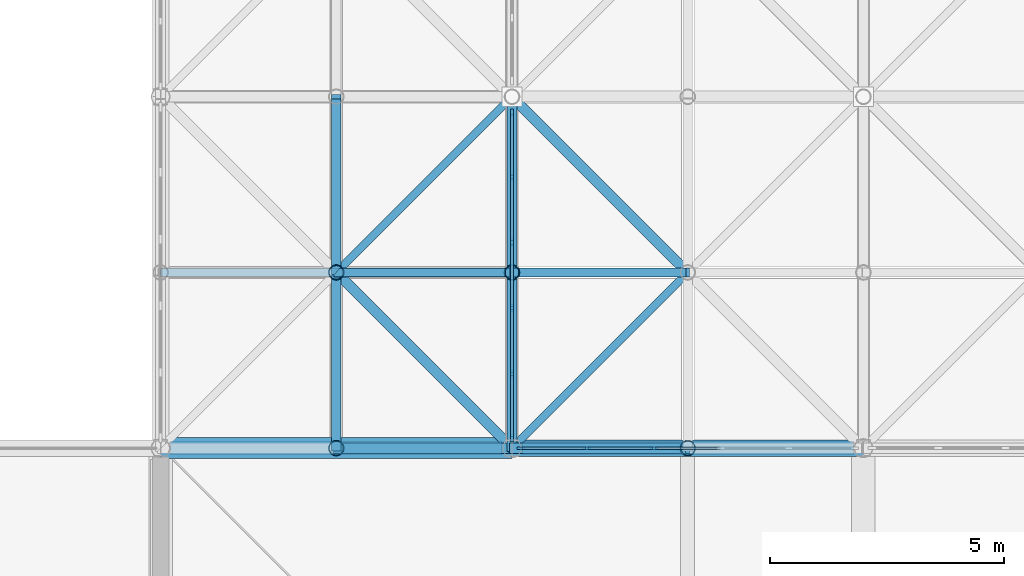
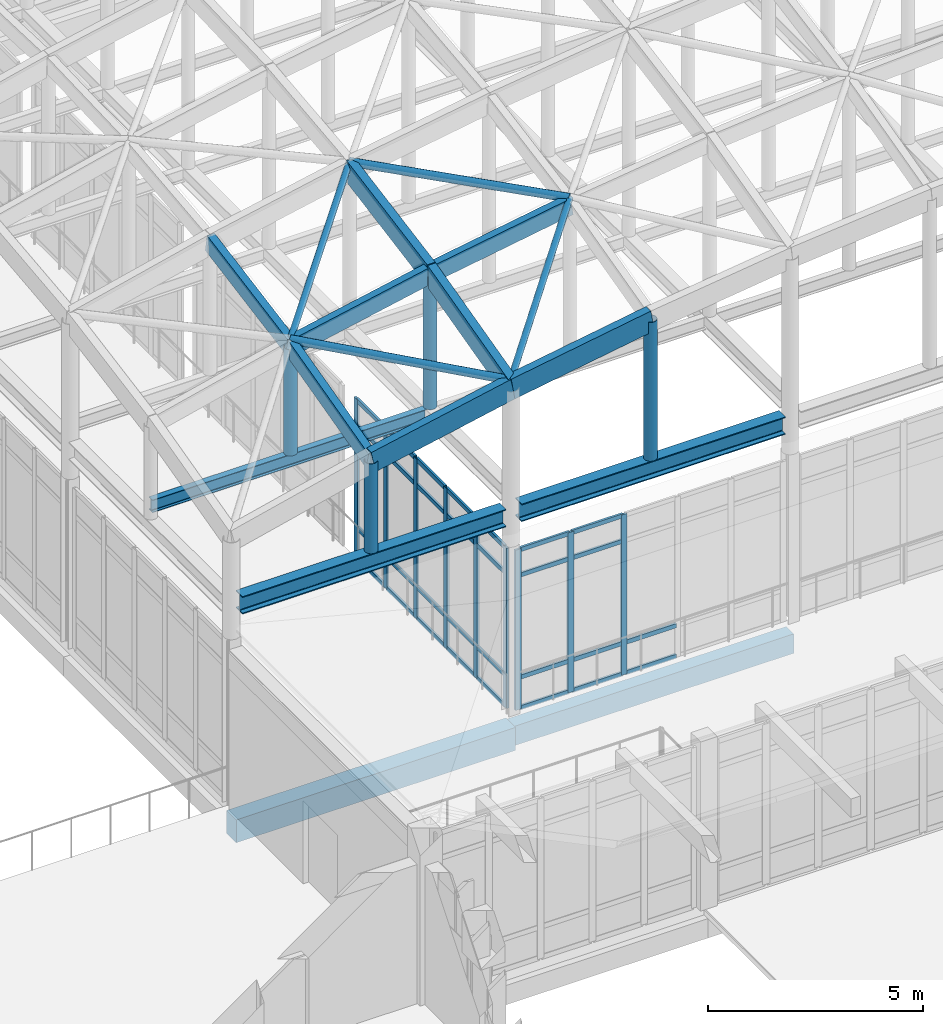
# One storey, part 31 of 131: 55 members, 5 beams, 2 elements without a shape of their own.
"""IFC4 building model written with IfcOpenShell, lengths in metres."""

from ifc_helpers import new_model, si_unit, direction, frame, origin, origin_2d, place, context, subcontext, project, spatial, rectangle, hollow_circle, i_section, extrude, material, layer, layer_set, material_profile, profile_set, type_object, element, aggregate, save


model = new_model("IFC4")

# Units and contexts
model_context = context("Model", 3, precision=1e-05, world=origin(), true_north=direction((0.0, 1.0)))
body_context = subcontext(model_context, "Body", "Model", "MODEL_VIEW")
ifc_project = project(units=[si_unit("LENGTHUNIT", "METRE"), si_unit("AREAUNIT", "SQUARE_METRE"), si_unit("VOLUMEUNIT", "CUBIC_METRE"), si_unit("PLANEANGLEUNIT", "RADIAN"), si_unit("MASSUNIT", "GRAM", prefix="KILO")], contexts=[model_context])

# Site, building, storey
site_placement = place(None, origin())
site = spatial("IfcSite", under=ifc_project, at=site_placement, CompositionType="ELEMENT")
building_placement = place(site_placement, origin())
building = spatial("IfcBuilding", under=site, at=building_placement, Name="Dalvernix Boulevard General Hospital", CompositionType="ELEMENT")
storey_placement = place(building_placement, frame((0.0, 0.0, 9.300048828125)))
storey = spatial("IfcBuildingStorey", under=building, at=storey_placement, Name="L02", CompositionType="ELEMENT", Elevation=9.300048828125)

# Beams
ifc_material_1 = material(Name="Concrete C35/45", Category="concrete")
ifc_material_profile_1 = material_profile(ifc_material_1, rectangle(XDim=0.449951171875, YDim=0.64990234375, at=origin_2d()), Name="RCB 450x650")
ifc_profile_set_1 = profile_set([ifc_material_profile_1], Name="Concrete C35/45")
beam_type_1 = type_object("IfcBeamType", Name="BM-B-03-I", PredefinedType="BEAM", material=ifc_profile_set_1)
beam_1_placement = place(storey_placement, frame((60.0, 31.5, -0.64501953125), z_axis=(1.0, 0.0, 0.0), x_axis=(0.0, 1.0, 0.0)))
element("IfcBeam", 1, at=beam_1_placement, inside=storey, type_object=beam_type_1, Name="L02 E-W girder E:9-10", PredefinedType="BEAM", context=body_context, shape_type="SweptSolid", body=[
    extrude(rectangle(XDim=0.449951171875, YDim=0.64990234375, at=origin_2d()), origin(), (0.0, 0.0, 1.0), 7.5),
])
ifc_material_2 = material(Name="Steel S355", Category="steel")
ifc_material_profile_2 = material_profile(ifc_material_2, i_section(OverallWidth=0.300048828125, OverallDepth=0.5, WebThickness=0.014404296875, FlangeThickness=0.028076171875, FilletRadius=0.027099609375, at=origin_2d()), Name="HEB 500")
ifc_profile_set_2 = profile_set([ifc_material_profile_2], Name="Steel S355")
beam_type_2 = type_object("IfcBeamType", Name="BM-RB-02", PredefinedType="BEAM", material=ifc_profile_set_2)
for number, where, z_axis, x_axis, name in (
    (2, (60.2099609375, 31.5, 5.64990234375), (1.0, 0.0, 0.0), (0.0, 1.0, 0.0), "Gridshell Ring Beam S bay 1"),
    (3, (67.7099609375, 31.5, 5.64990234375), (1.0, 0.0, 0.0), (0.0, 1.0, 0.0), "Gridshell Ring Beam S bay 2"),
):
    element("IfcBeam", number, at=place(storey_placement, frame(where, z_axis=z_axis, x_axis=x_axis)), inside=storey, type_object=beam_type_2, Name=name, PredefinedType="BEAM", context=body_context, shape_type="SweptSolid", body=[
        extrude(i_section(OverallWidth=0.300048828125, OverallDepth=0.5, WebThickness=0.014404296875, FlangeThickness=0.028076171875, FilletRadius=0.027099609375, at=origin_2d()), origin(), (0.0, 0.0, 1.0), 7.080078125),
    ])
ifc_material_profile_3 = material_profile(ifc_material_2, i_section(OverallWidth=0.169921875, OverallDepth=0.360107421875, WebThickness=0.008056640625, FlangeThickness=0.0126953125, FilletRadius=0.01806640625, at=origin_2d()), Name="IPE 360")
ifc_profile_set_3 = profile_set([ifc_material_profile_3], Name="Steel S355")
beam_type_3 = type_object("IfcBeamType", Name="BM-RB-08", PredefinedType="BEAM", material=ifc_profile_set_3)
beam_2_placement = place(storey_placement, frame((60.0, 35.25, 6.219970703125), z_axis=(1.0, 0.0, 0.0), x_axis=(0.0, 1.0, 0.0)))
element("IfcBeam", 4, at=beam_2_placement, inside=storey, type_object=beam_type_3, Name="ROOF TRUSS Gridshell cross tie 0-1", PredefinedType="BEAM", context=body_context, shape_type="SweptSolid", body=[
    extrude(i_section(OverallWidth=0.169921875, OverallDepth=0.360107421875, WebThickness=0.008056640625, FlangeThickness=0.0126953125, FilletRadius=0.01806640625, at=origin_2d()), origin(), (0.0, 0.0, 1.0), 7.35791015625),
])
ifc_material_profile_4 = material_profile(ifc_material_1, rectangle(XDim=0.35009765625, YDim=0.550048828125, at=origin_2d()), Name="RCB 350x550")
ifc_profile_set_4 = profile_set([ifc_material_profile_4], Name="Concrete C35/45")
beam_type_4 = type_object("IfcBeamType", Name="BM-SB-01-E", PredefinedType="SPANDREL", material=ifc_profile_set_4)
beam_3_placement = place(storey_placement, frame((67.5, 31.5, -0.594970703125), z_axis=(1.0, 0.0, 0.0), x_axis=(0.0, 1.0, 0.0)))
element("IfcBeam", 5, at=beam_3_placement, inside=storey, type_object=beam_type_4, Name="L02 E-W girder E:10-11", PredefinedType="SPANDREL", context=body_context, shape_type="SweptSolid", body=[
    extrude(rectangle(XDim=0.35009765625, YDim=0.550048828125, at=origin_2d()), origin(), (0.0, 0.0, 1.0), 7.5),
])

# Curtain wall, members
ifc_material_3 = material(Name="Thermally broken aluminium and solar-control glass curtain wall", Category="aluminium")
ifc_layer_1 = layer(ifc_material_3, 0.159912109375)
ifc_layer_set_1 = layer_set([ifc_layer_1], Name="Thermally broken aluminium and solar-control glass curtain wall (CW-CW-A-70x46)")
curtain_wall_type_1 = type_object("IfcCurtainWallType", Name="CW-CW-A-70x46", PredefinedType="USERDEFINED", material=ifc_layer_set_1)
curtain_wall_1_placement = place(storey_placement, origin())
curtain_wall_1 = element("IfcCurtainWall", 6, at=curtain_wall_1_placement, inside=storey, type_object=curtain_wall_type_1, Name="L02 curtain wall CW-A-70x46 9-4", ObjectType="GLAZED FACADE", PredefinedType="USERDEFINED")
ifc_material_4 = material(Name="Aluminium EN AW-6060", Category="aluminium")
ifc_material_profile_5 = material_profile(ifc_material_4, rectangle(XDim=0.06005859375, YDim=0.159912109375, at=origin_2d()), Name="ALU MULL 60x160")
ifc_profile_set_5 = profile_set([ifc_material_profile_5], Name="Aluminium EN AW-6060")
member_type_1 = type_object("IfcMemberType", Name="MEM-CW-M1", PredefinedType="MULLION", material=ifc_profile_set_5)
member_1_placement = place(storey_placement, frame((67.5, 38.659912109375, 0.0), z_axis=(0.0, 0.0, 1.0), x_axis=(1.0, 0.0, 0.0)))
member_1 = element("IfcMember", 7, at=member_1_placement, type_object=member_type_1, Name="CW-A-70x46 mullion 1", PredefinedType="MULLION", context=body_context, shape_type="SweptSolid", body=[
    extrude(rectangle(XDim=0.06005859375, YDim=0.159912109375, at=origin_2d()), origin(), (0.0, 0.0, 1.0), 4.550048828125),
])
member_2_placement = place(storey_placement, frame((67.5, 37.2900390625, 0.0), z_axis=(0.0, 0.0, 1.0), x_axis=(1.0, 0.0, 0.0)))
member_2 = element("IfcMember", 8, at=member_2_placement, type_object=member_type_1, Name="CW-A-70x46 mullion 2", PredefinedType="MULLION", context=body_context, shape_type="SweptSolid", body=[
    extrude(rectangle(XDim=0.06005859375, YDim=0.159912109375, at=origin_2d()), origin(), (0.0, 0.0, 1.0), 4.550048828125),
])
member_3_placement = place(storey_placement, frame((67.5, 35.889892578125, 0.0), z_axis=(0.0, 0.0, 1.0), x_axis=(1.0, 0.0, 0.0)))
member_3 = element("IfcMember", 9, at=member_3_placement, type_object=member_type_1, Name="CW-A-70x46 mullion 3", PredefinedType="MULLION", context=body_context, shape_type="SweptSolid", body=[
    extrude(rectangle(XDim=0.06005859375, YDim=0.159912109375, at=origin_2d()), origin(), (0.0, 0.0, 1.0), 4.550048828125),
])
member_4_placement = place(storey_placement, frame((67.5, 34.489990234375, 0.0), z_axis=(0.0, 0.0, 1.0), x_axis=(1.0, 0.0, 0.0)))
member_4 = element("IfcMember", 10, at=member_4_placement, type_object=member_type_1, Name="CW-A-70x46 mullion 4", PredefinedType="MULLION", context=body_context, shape_type="SweptSolid", body=[
    extrude(rectangle(XDim=0.06005859375, YDim=0.159912109375, at=origin_2d()), origin(), (0.0, 0.0, 1.0), 4.550048828125),
])
member_5_placement = place(storey_placement, frame((67.5, 33.090087890625, 0.0), z_axis=(0.0, 0.0, 1.0), x_axis=(1.0, 0.0, 0.0)))
member_5 = element("IfcMember", 11, at=member_5_placement, type_object=member_type_1, Name="CW-A-70x46 mullion 5", PredefinedType="MULLION", context=body_context, shape_type="SweptSolid", body=[
    extrude(rectangle(XDim=0.06005859375, YDim=0.159912109375, at=origin_2d()), origin(), (0.0, 0.0, 1.0), 4.550048828125),
])
member_6_placement = place(storey_placement, frame((67.5, 31.719970703125, 0.0), z_axis=(0.0, 0.0, 1.0), x_axis=(1.0, 0.0, 0.0)))
member_6 = element("IfcMember", 12, at=member_6_placement, type_object=member_type_1, Name="CW-A-70x46 mullion 6", PredefinedType="MULLION", context=body_context, shape_type="SweptSolid", body=[
    extrude(rectangle(XDim=0.06005859375, YDim=0.159912109375, at=origin_2d()), origin(), (0.0, 0.0, 1.0), 4.550048828125),
])

ifc_layer_2 = layer(ifc_material_3, 0.159912109375)
ifc_layer_set_2 = layer_set([ifc_layer_2], Name="Thermally broken aluminium and solar-control glass curtain wall (CW-CW-A-72x46)")
curtain_wall_type_2 = type_object("IfcCurtainWallType", Name="CW-CW-A-72x46", PredefinedType="USERDEFINED", material=ifc_layer_set_2)
curtain_wall_2_placement = place(storey_placement, origin())
curtain_wall_2 = element("IfcCurtainWall", 13, at=curtain_wall_2_placement, inside=storey, type_object=curtain_wall_type_2, Name="L02 curtain wall CW-A-72x46 9-4", ObjectType="GLAZED FACADE", PredefinedType="USERDEFINED")
member_7_placement = place(storey_placement, frame((67.68994140625, 31.5, 0.0), z_axis=(0.0, 0.0, 1.0), x_axis=(0.0, 1.0, 0.0)))
member_7 = element("IfcMember", 14, at=member_7_placement, type_object=member_type_1, Name="CW-A-72x46 mullion 1", PredefinedType="MULLION", context=body_context, shape_type="SweptSolid", body=[
    extrude(rectangle(XDim=0.06005859375, YDim=0.159912109375, at=origin_2d()), origin(), (0.0, 0.0, 1.0), 4.550048828125),
])
member_8_placement = place(storey_placement, frame((69.095947265625, 31.5, 0.0), z_axis=(0.0, 0.0, 1.0), x_axis=(0.0, 1.0, 0.0)))
member_8 = element("IfcMember", 15, at=member_8_placement, type_object=member_type_1, Name="CW-A-72x46 mullion 2", PredefinedType="MULLION", context=body_context, shape_type="SweptSolid", body=[
    extrude(rectangle(XDim=0.06005859375, YDim=0.159912109375, at=origin_2d()), origin(), (0.0, 0.0, 1.0), 4.550048828125),
])
member_9_placement = place(storey_placement, frame((70.531982421875, 31.5, 0.0), z_axis=(0.0, 0.0, 1.0), x_axis=(0.0, 1.0, 0.0)))
member_9 = element("IfcMember", 16, at=member_9_placement, type_object=member_type_1, Name="CW-A-72x46 mullion 3", PredefinedType="MULLION", context=body_context, shape_type="SweptSolid", body=[
    extrude(rectangle(XDim=0.06005859375, YDim=0.159912109375, at=origin_2d()), origin(), (0.0, 0.0, 1.0), 4.550048828125),
])

# Member
ifc_material_profile_6 = material_profile(ifc_material_4, rectangle(XDim=0.06005859375, YDim=0.1201171875, at=origin_2d()), Name="ALU TRAN 60x120")
ifc_profile_set_6 = profile_set([ifc_material_profile_6], Name="Aluminium EN AW-6060")
member_type_2 = type_object("IfcMemberType", Name="MEM-CW-T1", PredefinedType="USERDEFINED", material=ifc_profile_set_6)
member_10_placement = place(storey_placement, frame((67.5, 38.6298828125, 0.030029296875), z_axis=(0.0, -1.0, 0.0), x_axis=(1.0, 0.0, 0.0)))
member_10 = element("IfcMember", 17, at=member_10_placement, type_object=member_type_2, Name="CW-A-70x46 transom 1.1", ObjectType="TRANSOM", PredefinedType="USERDEFINED", context=body_context, shape_type="SweptSolid", body=[
    extrude(rectangle(XDim=0.06005859375, YDim=0.1201171875, at=origin_2d()), origin(), (0.0, 0.0, 1.0), 1.309814453125),
])

member_11_placement = place(storey_placement, frame((67.5, 38.6298828125, 0.89990234375), z_axis=(0.0, -1.0, 0.0), x_axis=(1.0, 0.0, 0.0)))
member_11 = element("IfcMember", 18, at=member_11_placement, type_object=member_type_2, Name="CW-A-70x46 transom 1.2", ObjectType="TRANSOM", PredefinedType="USERDEFINED", context=body_context, shape_type="SweptSolid", body=[
    extrude(rectangle(XDim=0.06005859375, YDim=0.1201171875, at=origin_2d()), origin(), (0.0, 0.0, 1.0), 1.309814453125),
])

member_12_placement = place(storey_placement, frame((67.5, 38.6298828125, 3.800048828125), z_axis=(0.0, -1.0, 0.0), x_axis=(1.0, 0.0, 0.0)))
member_12 = element("IfcMember", 19, at=member_12_placement, type_object=member_type_2, Name="CW-A-70x46 transom 1.3", ObjectType="TRANSOM", PredefinedType="USERDEFINED", context=body_context, shape_type="SweptSolid", body=[
    extrude(rectangle(XDim=0.06005859375, YDim=0.1201171875, at=origin_2d()), origin(), (0.0, 0.0, 1.0), 1.309814453125),
])

member_13_placement = place(storey_placement, frame((67.5, 38.6298828125, 4.52001953125), z_axis=(0.0, -1.0, 0.0), x_axis=(1.0, 0.0, 0.0)))
member_13 = element("IfcMember", 20, at=member_13_placement, type_object=member_type_2, Name="CW-A-70x46 transom 1.4", ObjectType="TRANSOM", PredefinedType="USERDEFINED", context=body_context, shape_type="SweptSolid", body=[
    extrude(rectangle(XDim=0.06005859375, YDim=0.1201171875, at=origin_2d()), origin(), (0.0, 0.0, 1.0), 1.309814453125),
])

member_14_placement = place(storey_placement, frame((67.5, 37.260009765625, 0.030029296875), z_axis=(0.0, -1.0, 0.0), x_axis=(1.0, 0.0, 0.0)))
member_14 = element("IfcMember", 21, at=member_14_placement, type_object=member_type_2, Name="CW-A-70x46 transom 2.1", ObjectType="TRANSOM", PredefinedType="USERDEFINED", context=body_context, shape_type="SweptSolid", body=[
    extrude(rectangle(XDim=0.06005859375, YDim=0.1201171875, at=origin_2d()), origin(), (0.0, 0.0, 1.0), 1.340087890625),
])

member_15_placement = place(storey_placement, frame((67.5, 37.260009765625, 0.89990234375), z_axis=(0.0, -1.0, 0.0), x_axis=(1.0, 0.0, 0.0)))
member_15 = element("IfcMember", 22, at=member_15_placement, type_object=member_type_2, Name="CW-A-70x46 transom 2.2", ObjectType="TRANSOM", PredefinedType="USERDEFINED", context=body_context, shape_type="SweptSolid", body=[
    extrude(rectangle(XDim=0.06005859375, YDim=0.1201171875, at=origin_2d()), origin(), (0.0, 0.0, 1.0), 1.340087890625),
])

member_16_placement = place(storey_placement, frame((67.5, 37.260009765625, 3.800048828125), z_axis=(0.0, -1.0, 0.0), x_axis=(1.0, 0.0, 0.0)))
member_16 = element("IfcMember", 23, at=member_16_placement, type_object=member_type_2, Name="CW-A-70x46 transom 2.3", ObjectType="TRANSOM", PredefinedType="USERDEFINED", context=body_context, shape_type="SweptSolid", body=[
    extrude(rectangle(XDim=0.06005859375, YDim=0.1201171875, at=origin_2d()), origin(), (0.0, 0.0, 1.0), 1.340087890625),
])

member_17_placement = place(storey_placement, frame((67.5, 37.260009765625, 4.52001953125), z_axis=(0.0, -1.0, 0.0), x_axis=(1.0, 0.0, 0.0)))
member_17 = element("IfcMember", 24, at=member_17_placement, type_object=member_type_2, Name="CW-A-70x46 transom 2.4", ObjectType="TRANSOM", PredefinedType="USERDEFINED", context=body_context, shape_type="SweptSolid", body=[
    extrude(rectangle(XDim=0.06005859375, YDim=0.1201171875, at=origin_2d()), origin(), (0.0, 0.0, 1.0), 1.340087890625),
])

member_18_placement = place(storey_placement, frame((67.5, 35.860107421875, 0.030029296875), z_axis=(0.0, -1.0, 0.0), x_axis=(1.0, 0.0, 0.0)))
member_18 = element("IfcMember", 25, at=member_18_placement, type_object=member_type_2, Name="CW-A-70x46 transom 3.1", ObjectType="TRANSOM", PredefinedType="USERDEFINED", context=body_context, shape_type="SweptSolid", body=[
    extrude(rectangle(XDim=0.06005859375, YDim=0.1201171875, at=origin_2d()), origin(), (0.0, 0.0, 1.0), 1.340087890625),
])

member_19_placement = place(storey_placement, frame((67.5, 35.860107421875, 0.89990234375), z_axis=(0.0, -1.0, 0.0), x_axis=(1.0, 0.0, 0.0)))
member_19 = element("IfcMember", 26, at=member_19_placement, type_object=member_type_2, Name="CW-A-70x46 transom 3.2", ObjectType="TRANSOM", PredefinedType="USERDEFINED", context=body_context, shape_type="SweptSolid", body=[
    extrude(rectangle(XDim=0.06005859375, YDim=0.1201171875, at=origin_2d()), origin(), (0.0, 0.0, 1.0), 1.340087890625),
])

member_20_placement = place(storey_placement, frame((67.5, 35.860107421875, 3.800048828125), z_axis=(0.0, -1.0, 0.0), x_axis=(1.0, 0.0, 0.0)))
member_20 = element("IfcMember", 27, at=member_20_placement, type_object=member_type_2, Name="CW-A-70x46 transom 3.3", ObjectType="TRANSOM", PredefinedType="USERDEFINED", context=body_context, shape_type="SweptSolid", body=[
    extrude(rectangle(XDim=0.06005859375, YDim=0.1201171875, at=origin_2d()), origin(), (0.0, 0.0, 1.0), 1.340087890625),
])

member_21_placement = place(storey_placement, frame((67.5, 35.860107421875, 4.52001953125), z_axis=(0.0, -1.0, 0.0), x_axis=(1.0, 0.0, 0.0)))
member_21 = element("IfcMember", 28, at=member_21_placement, type_object=member_type_2, Name="CW-A-70x46 transom 3.4", ObjectType="TRANSOM", PredefinedType="USERDEFINED", context=body_context, shape_type="SweptSolid", body=[
    extrude(rectangle(XDim=0.06005859375, YDim=0.1201171875, at=origin_2d()), origin(), (0.0, 0.0, 1.0), 1.340087890625),
])

member_22_placement = place(storey_placement, frame((67.5, 34.4599609375, 0.030029296875), z_axis=(0.0, -1.0, 0.0), x_axis=(1.0, 0.0, 0.0)))
member_22 = element("IfcMember", 29, at=member_22_placement, type_object=member_type_2, Name="CW-A-70x46 transom 4.1", ObjectType="TRANSOM", PredefinedType="USERDEFINED", context=body_context, shape_type="SweptSolid", body=[
    extrude(rectangle(XDim=0.06005859375, YDim=0.1201171875, at=origin_2d()), origin(), (0.0, 0.0, 1.0), 1.33984375),
])

member_23_placement = place(storey_placement, frame((67.5, 34.4599609375, 0.89990234375), z_axis=(0.0, -1.0, 0.0), x_axis=(1.0, 0.0, 0.0)))
member_23 = element("IfcMember", 30, at=member_23_placement, type_object=member_type_2, Name="CW-A-70x46 transom 4.2", ObjectType="TRANSOM", PredefinedType="USERDEFINED", context=body_context, shape_type="SweptSolid", body=[
    extrude(rectangle(XDim=0.06005859375, YDim=0.1201171875, at=origin_2d()), origin(), (0.0, 0.0, 1.0), 1.33984375),
])

member_24_placement = place(storey_placement, frame((67.5, 34.4599609375, 3.800048828125), z_axis=(0.0, -1.0, 0.0), x_axis=(1.0, 0.0, 0.0)))
member_24 = element("IfcMember", 31, at=member_24_placement, type_object=member_type_2, Name="CW-A-70x46 transom 4.3", ObjectType="TRANSOM", PredefinedType="USERDEFINED", context=body_context, shape_type="SweptSolid", body=[
    extrude(rectangle(XDim=0.06005859375, YDim=0.1201171875, at=origin_2d()), origin(), (0.0, 0.0, 1.0), 1.33984375),
])

member_25_placement = place(storey_placement, frame((67.5, 34.4599609375, 4.52001953125), z_axis=(0.0, -1.0, 0.0), x_axis=(1.0, 0.0, 0.0)))
member_25 = element("IfcMember", 32, at=member_25_placement, type_object=member_type_2, Name="CW-A-70x46 transom 4.4", ObjectType="TRANSOM", PredefinedType="USERDEFINED", context=body_context, shape_type="SweptSolid", body=[
    extrude(rectangle(XDim=0.06005859375, YDim=0.1201171875, at=origin_2d()), origin(), (0.0, 0.0, 1.0), 1.33984375),
])

member_26_placement = place(storey_placement, frame((67.5, 33.06005859375, 0.030029296875), z_axis=(0.0, -1.0, 0.0), x_axis=(1.0, 0.0, 0.0)))
member_26 = element("IfcMember", 33, at=member_26_placement, type_object=member_type_2, Name="CW-A-70x46 transom 5.1", ObjectType="TRANSOM", PredefinedType="USERDEFINED", context=body_context, shape_type="SweptSolid", body=[
    extrude(rectangle(XDim=0.06005859375, YDim=0.1201171875, at=origin_2d()), origin(), (0.0, 0.0, 1.0), 1.31005859375),
])

member_27_placement = place(storey_placement, frame((67.5, 33.06005859375, 0.89990234375), z_axis=(0.0, -1.0, 0.0), x_axis=(1.0, 0.0, 0.0)))
member_27 = element("IfcMember", 34, at=member_27_placement, type_object=member_type_2, Name="CW-A-70x46 transom 5.2", ObjectType="TRANSOM", PredefinedType="USERDEFINED", context=body_context, shape_type="SweptSolid", body=[
    extrude(rectangle(XDim=0.06005859375, YDim=0.1201171875, at=origin_2d()), origin(), (0.0, 0.0, 1.0), 1.31005859375),
])

member_28_placement = place(storey_placement, frame((67.5, 33.06005859375, 3.800048828125), z_axis=(0.0, -1.0, 0.0), x_axis=(1.0, 0.0, 0.0)))
member_28 = element("IfcMember", 35, at=member_28_placement, type_object=member_type_2, Name="CW-A-70x46 transom 5.3", ObjectType="TRANSOM", PredefinedType="USERDEFINED", context=body_context, shape_type="SweptSolid", body=[
    extrude(rectangle(XDim=0.06005859375, YDim=0.1201171875, at=origin_2d()), origin(), (0.0, 0.0, 1.0), 1.31005859375),
])

member_29_placement = place(storey_placement, frame((67.5, 33.06005859375, 4.52001953125), z_axis=(0.0, -1.0, 0.0), x_axis=(1.0, 0.0, 0.0)))
member_29 = element("IfcMember", 36, at=member_29_placement, type_object=member_type_2, Name="CW-A-70x46 transom 5.4", ObjectType="TRANSOM", PredefinedType="USERDEFINED", context=body_context, shape_type="SweptSolid", body=[
    extrude(rectangle(XDim=0.06005859375, YDim=0.1201171875, at=origin_2d()), origin(), (0.0, 0.0, 1.0), 1.31005859375),
])

aggregate(curtain_wall_1, [member_1, member_2, member_3, member_4, member_5, member_6, member_10, member_11, member_12, member_13, member_14, member_15, member_16, member_17, member_18, member_19, member_20, member_21, member_22, member_23, member_24, member_25, member_26, member_27, member_28, member_29])

member_30_placement = place(storey_placement, frame((67.719970703125, 31.5, 0.030029296875), z_axis=(1.0, 0.0, 0.0), x_axis=(0.0, 1.0, 0.0)))
member_30 = element("IfcMember", 37, at=member_30_placement, type_object=member_type_2, Name="CW-A-72x46 transom 1.1", ObjectType="TRANSOM", PredefinedType="USERDEFINED", context=body_context, shape_type="SweptSolid", body=[
    extrude(rectangle(XDim=0.06005859375, YDim=0.1201171875, at=origin_2d()), origin(), (0.0, 0.0, 1.0), 1.345947265625),
])

member_31_placement = place(storey_placement, frame((67.719970703125, 31.5, 0.89990234375), z_axis=(1.0, 0.0, 0.0), x_axis=(0.0, 1.0, 0.0)))
member_31 = element("IfcMember", 38, at=member_31_placement, type_object=member_type_2, Name="CW-A-72x46 transom 1.2", ObjectType="TRANSOM", PredefinedType="USERDEFINED", context=body_context, shape_type="SweptSolid", body=[
    extrude(rectangle(XDim=0.06005859375, YDim=0.1201171875, at=origin_2d()), origin(), (0.0, 0.0, 1.0), 1.345947265625),
])

member_32_placement = place(storey_placement, frame((67.719970703125, 31.5, 3.800048828125), z_axis=(1.0, 0.0, 0.0), x_axis=(0.0, 1.0, 0.0)))
member_32 = element("IfcMember", 39, at=member_32_placement, type_object=member_type_2, Name="CW-A-72x46 transom 1.3", ObjectType="TRANSOM", PredefinedType="USERDEFINED", context=body_context, shape_type="SweptSolid", body=[
    extrude(rectangle(XDim=0.06005859375, YDim=0.1201171875, at=origin_2d()), origin(), (0.0, 0.0, 1.0), 1.345947265625),
])

member_33_placement = place(storey_placement, frame((67.719970703125, 31.5, 4.52001953125), z_axis=(1.0, 0.0, 0.0), x_axis=(0.0, 1.0, 0.0)))
member_33 = element("IfcMember", 40, at=member_33_placement, type_object=member_type_2, Name="CW-A-72x46 transom 1.4", ObjectType="TRANSOM", PredefinedType="USERDEFINED", context=body_context, shape_type="SweptSolid", body=[
    extrude(rectangle(XDim=0.06005859375, YDim=0.1201171875, at=origin_2d()), origin(), (0.0, 0.0, 1.0), 1.345947265625),
])

member_34_placement = place(storey_placement, frame((69.1259765625, 31.5, 0.030029296875), z_axis=(1.0, 0.0, 0.0), x_axis=(0.0, 1.0, 0.0)))
member_34 = element("IfcMember", 41, at=member_34_placement, type_object=member_type_2, Name="CW-A-72x46 transom 2.1", ObjectType="TRANSOM", PredefinedType="USERDEFINED", context=body_context, shape_type="SweptSolid", body=[
    extrude(rectangle(XDim=0.06005859375, YDim=0.1201171875, at=origin_2d()), origin(), (0.0, 0.0, 1.0), 1.3759765625),
])

member_35_placement = place(storey_placement, frame((69.1259765625, 31.5, 0.89990234375), z_axis=(1.0, 0.0, 0.0), x_axis=(0.0, 1.0, 0.0)))
member_35 = element("IfcMember", 42, at=member_35_placement, type_object=member_type_2, Name="CW-A-72x46 transom 2.2", ObjectType="TRANSOM", PredefinedType="USERDEFINED", context=body_context, shape_type="SweptSolid", body=[
    extrude(rectangle(XDim=0.06005859375, YDim=0.1201171875, at=origin_2d()), origin(), (0.0, 0.0, 1.0), 1.3759765625),
])

member_36_placement = place(storey_placement, frame((69.1259765625, 31.5, 3.800048828125), z_axis=(1.0, 0.0, 0.0), x_axis=(0.0, 1.0, 0.0)))
member_36 = element("IfcMember", 43, at=member_36_placement, type_object=member_type_2, Name="CW-A-72x46 transom 2.3", ObjectType="TRANSOM", PredefinedType="USERDEFINED", context=body_context, shape_type="SweptSolid", body=[
    extrude(rectangle(XDim=0.06005859375, YDim=0.1201171875, at=origin_2d()), origin(), (0.0, 0.0, 1.0), 1.3759765625),
])

member_37_placement = place(storey_placement, frame((69.1259765625, 31.5, 4.52001953125), z_axis=(1.0, 0.0, 0.0), x_axis=(0.0, 1.0, 0.0)))
member_37 = element("IfcMember", 44, at=member_37_placement, type_object=member_type_2, Name="CW-A-72x46 transom 2.4", ObjectType="TRANSOM", PredefinedType="USERDEFINED", context=body_context, shape_type="SweptSolid", body=[
    extrude(rectangle(XDim=0.06005859375, YDim=0.1201171875, at=origin_2d()), origin(), (0.0, 0.0, 1.0), 1.3759765625),
])

member_38_placement = place(storey_placement, frame((70.56201171875, 31.5, 0.030029296875), z_axis=(1.0, 0.0, 0.0), x_axis=(0.0, 1.0, 0.0)))
member_38 = element("IfcMember", 45, at=member_38_placement, type_object=member_type_2, Name="CW-A-72x46 transom 3.1", ObjectType="TRANSOM", PredefinedType="USERDEFINED", context=body_context, shape_type="SweptSolid", body=[
    extrude(rectangle(XDim=0.06005859375, YDim=0.1201171875, at=origin_2d()), origin(), (0.0, 0.0, 1.0), 1.3759765625),
])

member_39_placement = place(storey_placement, frame((70.56201171875, 31.5, 0.89990234375), z_axis=(1.0, 0.0, 0.0), x_axis=(0.0, 1.0, 0.0)))
member_39 = element("IfcMember", 46, at=member_39_placement, type_object=member_type_2, Name="CW-A-72x46 transom 3.2", ObjectType="TRANSOM", PredefinedType="USERDEFINED", context=body_context, shape_type="SweptSolid", body=[
    extrude(rectangle(XDim=0.06005859375, YDim=0.1201171875, at=origin_2d()), origin(), (0.0, 0.0, 1.0), 1.3759765625),
])

aggregate(curtain_wall_2, [member_7, member_8, member_9, member_30, member_31, member_32, member_33, member_34, member_35, member_36, member_37, member_38, member_39])

# Members
ifc_material_5 = material(Name="Glulam GL28h", Category="wood")
ifc_material_profile_7 = material_profile(ifc_material_5, rectangle(XDim=0.219970703125, YDim=0.60009765625, at=origin_2d()), Name="GL28h 220x600")
ifc_profile_set_7 = profile_set([ifc_material_profile_7], Name="Glulam GL28h")
member_type_3 = type_object("IfcMemberType", Name="MEM-GS-C1", PredefinedType="CHORD", material=ifc_profile_set_7)
member_40_placement = place(storey_placement, frame((63.75, 31.5, 8.451904296875), z_axis=(0.979900110741, 0.0, 0.199488779055), x_axis=(0.0, 1.0, 0.0)))
element("IfcMember", 47, at=member_40_placement, inside=storey, type_object=member_type_3, Name="ROOF TRUSS Gridshell E-W glulam rib 2-1", PredefinedType="CHORD", context=body_context, shape_type="SweptSolid", body=[
    extrude(rectangle(XDim=0.219970703125, YDim=0.60009765625, at=origin_2d()), origin(), (0.0, 0.0, 1.0), 3.826904296875),
])
member_41_placement = place(storey_placement, frame((67.5, 31.5, 9.21533203125), z_axis=(0.98641474393, 0.0, 0.164274017902), x_axis=(0.0, 1.0, 0.0)))
element("IfcMember", 48, at=member_41_placement, inside=storey, type_object=member_type_3, Name="ROOF TRUSS Gridshell E-W glulam rib 3-1", PredefinedType="CHORD", context=body_context, shape_type="SweptSolid", body=[
    extrude(rectangle(XDim=0.219970703125, YDim=0.60009765625, at=origin_2d()), origin(), (0.0, 0.0, 1.0), 3.8017578125),
])
member_42_placement = place(storey_placement, frame((67.5, 31.5, 9.21533203125), z_axis=(0.0, 0.968610158303, 0.248584716408), x_axis=(-1.0, 0.0, 0.0)))
element("IfcMember", 49, at=member_42_placement, inside=storey, type_object=member_type_3, Name="ROOF TRUSS Gridshell N-S glulam rib 3-1", PredefinedType="CHORD", context=body_context, shape_type="SweptSolid", body=[
    extrude(rectangle(XDim=0.219970703125, YDim=0.60009765625, at=origin_2d()), origin(), (0.0, 0.0, 1.0), 3.87158203125),
])
member_43_placement = place(storey_placement, frame((67.5, 35.25, 10.177734375), z_axis=(0.0, 0.983606557377, 0.180327868852), x_axis=(-1.0, 0.0, 0.0)))
element("IfcMember", 50, at=member_43_placement, inside=storey, type_object=member_type_3, Name="ROOF TRUSS Gridshell N-S glulam rib 3-2", PredefinedType="CHORD", context=body_context, shape_type="SweptSolid", body=[
    extrude(rectangle(XDim=0.219970703125, YDim=0.60009765625, at=origin_2d()), origin(), (0.0, 0.0, 1.0), 3.8125),
])
ifc_material_profile_8 = material_profile(ifc_material_5, rectangle(XDim=0.199951171875, YDim=0.47998046875, at=origin_2d()), Name="GL28h 200x480")
ifc_profile_set_8 = profile_set([ifc_material_profile_8], Name="Glulam GL28h")
member_type_4 = type_object("IfcMemberType", Name="MEM-GS-C2", PredefinedType="CHORD", material=ifc_profile_set_8)
member_44_placement = place(storey_placement, frame((63.75, 35.25, 9.41455078125), z_axis=(0.979912579686, 0.0, 0.1994275211), x_axis=(0.0, 1.0, 0.0)))
element("IfcMember", 51, at=member_44_placement, inside=storey, type_object=member_type_4, Name="ROOF TRUSS Gridshell E-W glulam rib 2-2", PredefinedType="CHORD", context=body_context, shape_type="SweptSolid", body=[
    extrude(rectangle(XDim=0.199951171875, YDim=0.47998046875, at=origin_2d()), origin(), (0.0, 0.0, 1.0), 3.826904296875),
])
member_45_placement = place(storey_placement, frame((67.5, 35.25, 10.177734375), z_axis=(0.98641474393, 0.0, 0.164274017902), x_axis=(0.0, 1.0, 0.0)))
element("IfcMember", 52, at=member_45_placement, inside=storey, type_object=member_type_4, Name="ROOF TRUSS Gridshell E-W glulam rib 3-2", PredefinedType="CHORD", context=body_context, shape_type="SweptSolid", body=[
    extrude(rectangle(XDim=0.199951171875, YDim=0.47998046875, at=origin_2d()), origin(), (0.0, 0.0, 1.0), 3.8017578125),
])
member_46_placement = place(storey_placement, frame((63.75, 31.5, 8.451904296875), z_axis=(0.0, 0.968594972907, 0.248643878787), x_axis=(-1.0, 0.0, 0.0)))
element("IfcMember", 53, at=member_46_placement, inside=storey, type_object=member_type_4, Name="ROOF TRUSS Gridshell N-S glulam rib 2-1", PredefinedType="CHORD", context=body_context, shape_type="SweptSolid", body=[
    extrude(rectangle(XDim=0.199951171875, YDim=0.47998046875, at=origin_2d()), origin(), (0.0, 0.0, 1.0), 3.87158203125),
])
member_47_placement = place(storey_placement, frame((63.75, 35.25, 9.41455078125), z_axis=(0.0, 0.983606557377, 0.180327868852), x_axis=(-1.0, 0.0, 0.0)))
element("IfcMember", 54, at=member_47_placement, inside=storey, type_object=member_type_4, Name="ROOF TRUSS Gridshell N-S glulam rib 2-2", PredefinedType="CHORD", context=body_context, shape_type="SweptSolid", body=[
    extrude(rectangle(XDim=0.199951171875, YDim=0.47998046875, at=origin_2d()), origin(), (0.0, 0.0, 1.0), 3.8125),
])
ifc_material_profile_9 = material_profile(ifc_material_2, hollow_circle(Radius=0.161865234375, WallThickness=0.012451171875, at=origin_2d()), Name="CHS 323.9x12.5")
ifc_profile_set_9 = profile_set([ifc_material_profile_9], Name="Steel S355")
member_type_5 = type_object("IfcMemberType", Name="MEM-GS-C3", PredefinedType="CHORD", material=ifc_profile_set_9)
member_48_placement = place(storey_placement, frame((63.75, 31.5, 5.89990234375), z_axis=(0.0, 0.0, 1.0), x_axis=(1.0, 0.0, 0.0)))
element("IfcMember", 55, at=member_48_placement, inside=storey, type_object=member_type_5, Name="Gridshell edge mullion 1-0", PredefinedType="CHORD", context=body_context, shape_type="SweptSolid", body=[
    extrude(hollow_circle(Radius=0.161865234375, WallThickness=0.012451171875, at=origin_2d()), origin(), (0.0, 0.0, 1.0), 2.552001953125),
])
member_49_placement = place(storey_placement, frame((71.25, 31.5, 5.89990234375), z_axis=(0.0, 0.0, 1.0), x_axis=(1.0, 0.0, 0.0)))
element("IfcMember", 56, at=member_49_placement, inside=storey, type_object=member_type_5, Name="Gridshell edge mullion 3-0", PredefinedType="CHORD", context=body_context, shape_type="SweptSolid", body=[
    extrude(hollow_circle(Radius=0.161865234375, WallThickness=0.012451171875, at=origin_2d()), origin(), (0.0, 0.0, 1.0), 3.93994140625),
])
member_50_placement = place(storey_placement, frame((63.75, 35.25, 6.39990234375), z_axis=(0.0, 0.0, 1.0), x_axis=(1.0, 0.0, 0.0)))
element("IfcMember", 57, at=member_50_placement, inside=storey, type_object=member_type_5, Name="ROOF TRUSS Gridshell arch queen post 1-1", PredefinedType="CHORD", context=body_context, shape_type="SweptSolid", body=[
    extrude(hollow_circle(Radius=0.161865234375, WallThickness=0.012451171875, at=origin_2d()), origin(), (0.0, 0.0, 1.0), 3.0146484375),
])
member_51_placement = place(storey_placement, frame((67.5, 35.25, 6.39990234375), z_axis=(0.0, 0.0, 1.0), x_axis=(1.0, 0.0, 0.0)))
element("IfcMember", 58, at=member_51_placement, inside=storey, type_object=member_type_5, Name="ROOF TRUSS Gridshell arch queen post 2-1", PredefinedType="CHORD", context=body_context, shape_type="SweptSolid", body=[
    extrude(hollow_circle(Radius=0.161865234375, WallThickness=0.012451171875, at=origin_2d()), origin(), (0.0, 0.0, 1.0), 3.77783203125),
])
ifc_material_profile_10 = material_profile(ifc_material_2, hollow_circle(Radius=0.084228515625, WallThickness=0.00634765625, at=origin_2d()), Name="CHS 168.3x6.3")
ifc_profile_set_10 = profile_set([ifc_material_profile_10], Name="Steel S355")
member_type_6 = type_object("IfcMemberType", Name="MEM-GSD-01", PredefinedType="BRACE", material=ifc_profile_set_10)
member_52_placement = place(storey_placement, frame((63.75, 35.25, 9.6044921875), z_axis=(0.68204952164, 0.68204952164, 0.263850146978), x_axis=(-0.707106781187, 0.707106781187, 0.0)))
element("IfcMember", 59, at=member_52_placement, inside=storey, type_object=member_type_6, Name="ROOF TRUSS Gridshell diagrid tube 2-2", PredefinedType="BRACE", context=body_context, shape_type="SweptSolid", body=[
    extrude(hollow_circle(Radius=0.084228515625, WallThickness=0.00634765625, at=origin_2d()), origin(), (0.0, 0.0, 1.0), 5.498046875),
])
member_53_placement = place(storey_placement, frame((67.5, 31.5, 9.4052734375), z_axis=(0.677428599884, 0.677428599884, 0.286672259066), x_axis=(-0.707106781187, 0.707106781187, 0.0)))
element("IfcMember", 60, at=member_53_placement, inside=storey, type_object=member_type_6, Name="ROOF TRUSS Gridshell diagrid tube 3-1", PredefinedType="BRACE", context=body_context, shape_type="SweptSolid", body=[
    extrude(hollow_circle(Radius=0.084228515625, WallThickness=0.00634765625, at=origin_2d()), origin(), (0.0, 0.0, 1.0), 5.53564453125),
])
ifc_material_profile_11 = material_profile(ifc_material_2, hollow_circle(Radius=0.109619140625, WallThickness=0.008056640625, at=origin_2d()), Name="CHS 219.1x8.0")
ifc_profile_set_11 = profile_set([ifc_material_profile_11], Name="Steel S355")
member_type_7 = type_object("IfcMemberType", Name="MEM-GSD-02", PredefinedType="BRACE", material=ifc_profile_set_11)
member_54_placement = place(storey_placement, frame((67.5, 31.5, 9.4052734375), z_axis=(-0.706608397798, 0.706608397798, 0.037538571133), x_axis=(-0.707106781187, -0.707106781187, 0.0)))
element("IfcMember", 61, at=member_54_placement, inside=storey, type_object=member_type_7, Name="ROOF TRUSS Gridshell diagrid tube 2-1", PredefinedType="BRACE", context=body_context, shape_type="SweptSolid", body=[
    extrude(hollow_circle(Radius=0.109619140625, WallThickness=0.008056640625, at=origin_2d()), origin(), (0.0, 0.0, 1.0), 5.30712890625),
])
member_55_placement = place(storey_placement, frame((71.25, 35.25, 10.9921875), z_axis=(-0.707056911568, 0.707056911568, 0.011876346561), x_axis=(-0.707106781187, -0.707106781187, 0.0)))
element("IfcMember", 62, at=member_55_placement, inside=storey, type_object=member_type_7, Name="ROOF TRUSS Gridshell diagrid tube 3-2", PredefinedType="BRACE", context=body_context, shape_type="SweptSolid", body=[
    extrude(hollow_circle(Radius=0.109619140625, WallThickness=0.008056640625, at=origin_2d()), origin(), (0.0, 0.0, 1.0), 5.3037109375),
])

save(model, "model.ifc")
